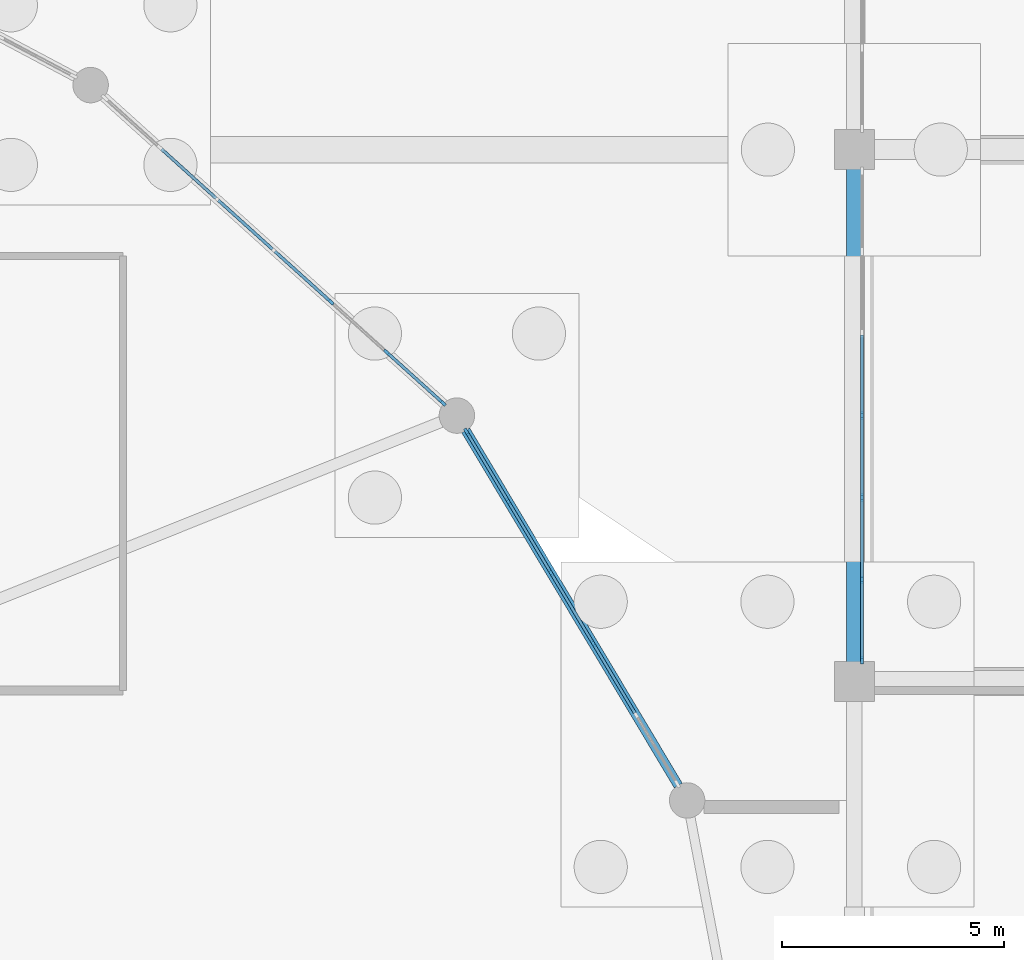
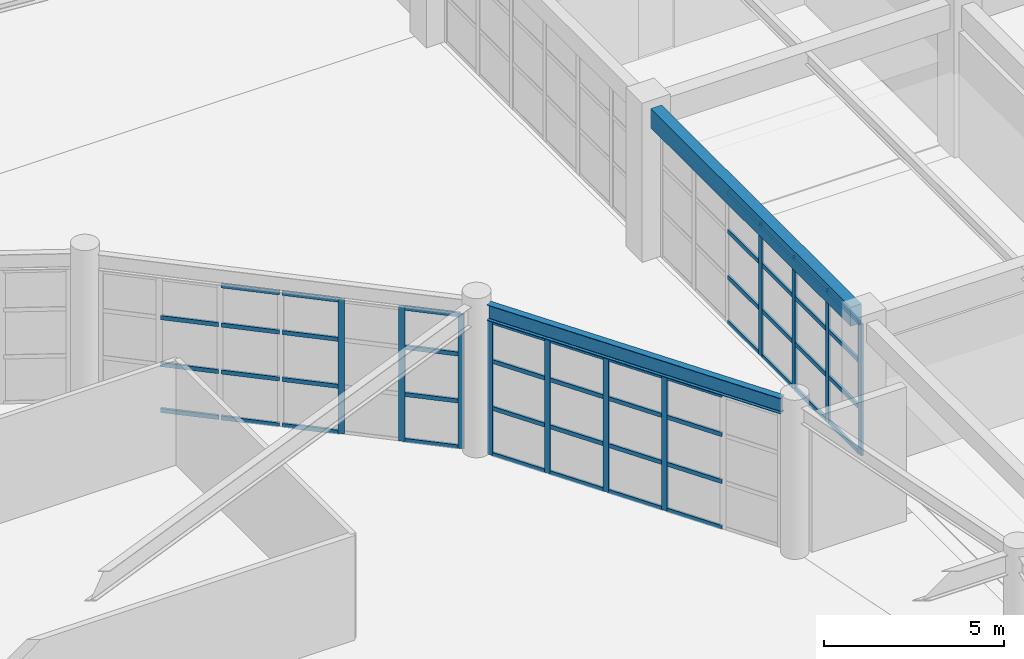
# One storey, part 49 of 99: 58 members, 2 beams, 3 elements without a shape of their own.
"""IFC4 building model written with IfcOpenShell, lengths in metres."""

from ifc_helpers import new_model, si_unit, direction, frame, origin, origin_2d, place, context, subcontext, project, spatial, rectangle, i_section, extrude, material, layer, layer_set, material_profile, profile_set, type_object, element, aggregate, save


model = new_model("IFC4")

# Units and contexts
model_context = context("Model", 3, precision=1e-05, world=origin(), true_north=direction((0.0, 1.0)))
body_context = subcontext(model_context, "Body", "Model", "MODEL_VIEW")
ifc_project = project(units=[si_unit("LENGTHUNIT", "METRE"), si_unit("AREAUNIT", "SQUARE_METRE"), si_unit("VOLUMEUNIT", "CUBIC_METRE"), si_unit("PLANEANGLEUNIT", "RADIAN"), si_unit("MASSUNIT", "GRAM", prefix="KILO")], contexts=[model_context])

# Site, building, storey
site_placement = place(None, origin())
site = spatial("IfcSite", under=ifc_project, at=site_placement, CompositionType="ELEMENT")
building_placement = place(site_placement, origin())
building = spatial("IfcBuilding", under=site, at=building_placement, Name="Kivolera Central Railway Station", CompositionType="ELEMENT")
storey_placement = place(building_placement, origin())
storey = spatial("IfcBuildingStorey", under=building, at=storey_placement, Name="L00", CompositionType="ELEMENT", Elevation=0.0)

# Beams
ifc_material_1 = material(Name="Steel S355", Category="steel")
ifc_material_profile_1 = material_profile(ifc_material_1, i_section(OverallWidth=0.209228515625, OverallDepth=0.533203125, WebThickness=0.010009765625, FlangeThickness=0.015625, FilletRadius=0.0126953125, at=origin_2d()), Name="UB 533x210x92")
ifc_profile_set_1 = profile_set([ifc_material_profile_1], Name="Steel S355")
beam_type_1 = type_object("IfcBeamType", Name="BM-SHD-UB533", PredefinedType="BEAM", material=ifc_profile_set_1)
beam_1_placement = place(storey_placement, frame((114.028076171875, 99.652099609375, 4.841064453125), z_axis=(-0.513503459376, 0.858087523047, 0.0), x_axis=(-0.858087523047, -0.513503459376, 0.0)))
element("IfcBeam", 1, at=beam_1_placement, inside=storey, type_object=beam_type_1, Name="L00 Oval Perimeter Ring Beam 02", PredefinedType="BEAM", context=body_context, shape_type="SweptSolid", body=[
    extrude(i_section(OverallWidth=0.209228515625, OverallDepth=0.533203125, WebThickness=0.010009765625, FlangeThickness=0.015625, FilletRadius=0.0126953125, at=origin_2d()), origin(), (0.0, 0.0, 1.0), 9.338134765625),
])
ifc_material_2 = material(Name="Concrete C40/50", Category="concrete")
ifc_material_profile_2 = material_profile(ifc_material_2, rectangle(XDim=0.35009765625, YDim=0.64990234375, at=origin_2d()), Name="RC 350x650")
ifc_profile_set_2 = profile_set([ifc_material_profile_2], Name="Concrete C40/50")
beam_type_2 = type_object("IfcBeamType", Name="BM-SPN-RC650", PredefinedType="SPANDREL", material=ifc_profile_set_2)
beam_2_placement = place(storey_placement, frame((118.0, 102.44189453125, 4.794921875), z_axis=(0.0, 1.0, 0.0), x_axis=(-1.0, 0.0, 0.0)))
element("IfcBeam", 2, at=beam_2_placement, inside=storey, type_object=beam_type_2, Name="L00 Wing Y-Beam 12:J-K", PredefinedType="SPANDREL", context=body_context, shape_type="SweptSolid", body=[
    extrude(rectangle(XDim=0.35009765625, YDim=0.64990234375, at=origin_2d()), origin(), (0.0, 0.0, 1.0), 11.1162109375),
])

# Curtain wall, members
ifc_material_3 = material(Name="Anodised aluminium", Category="aluminium")
ifc_layer_1 = layer(ifc_material_3, 0.179931640625, Name="Anodised aluminium")
ifc_layer_set_1 = layer_set([ifc_layer_1], Name="Anodised aluminium")
curtain_wall_type_1 = type_object("IfcCurtainWallType", Name="CW-SYS-01", PredefinedType="NOTDEFINED", material=ifc_layer_set_1)
curtain_wall_1_placement = place(storey_placement, origin())
curtain_wall_1 = element("IfcCurtainWall", 3, at=curtain_wall_1_placement, inside=storey, type_object=curtain_wall_type_1, Name="L00 Curtain Wall CW-L00-OVL-01", PredefinedType="NOTDEFINED")
ifc_material_profile_3 = material_profile(ifc_material_3, rectangle(XDim=0.070068359375, YDim=0.179931640625, at=origin_2d()), Name="ALU MULL 70x180")
ifc_profile_set_3 = profile_set([ifc_material_profile_3], Name="Anodised aluminium")
member_type_1 = type_object("IfcMemberType", Name="CWM-MUL-1", PredefinedType="MULLION", material=ifc_profile_set_3)
member_1_placement = place(storey_placement, frame((109.255859375, 107.626953125, -0.0048828125), z_axis=(0.0, 0.0, 1.0), x_axis=(0.858117186396, 0.513453887327, 0.0)))
member_1 = element("IfcMember", 4, at=member_1_placement, type_object=member_type_1, Name="CW-01 mullion 1", PredefinedType="MULLION", context=body_context, shape_type="SweptSolid", body=[
    extrude(rectangle(XDim=0.070068359375, YDim=0.179931640625, at=origin_2d()), origin(), (0.0, 0.0, 1.0), 4.554931640625),
])
member_2_placement = place(storey_placement, frame((110.195068359375, 106.0576171875, -0.0048828125), z_axis=(0.0, 0.0, 1.0), x_axis=(0.858117186396, 0.513453887327, 0.0)))
member_2 = element("IfcMember", 5, at=member_2_placement, type_object=member_type_1, Name="CW-01 mullion 2", PredefinedType="MULLION", context=body_context, shape_type="SweptSolid", body=[
    extrude(rectangle(XDim=0.070068359375, YDim=0.179931640625, at=origin_2d()), origin(), (0.0, 0.0, 1.0), 4.554931640625),
])
member_3_placement = place(storey_placement, frame((111.152099609375, 104.458251953125, -0.0048828125), z_axis=(0.0, 0.0, 1.0), x_axis=(0.858117186396, 0.513453887327, 0.0)))
member_3 = element("IfcMember", 6, at=member_3_placement, type_object=member_type_1, Name="CW-01 mullion 3", PredefinedType="MULLION", context=body_context, shape_type="SweptSolid", body=[
    extrude(rectangle(XDim=0.070068359375, YDim=0.179931640625, at=origin_2d()), origin(), (0.0, 0.0, 1.0), 4.554931640625),
])
member_4_placement = place(storey_placement, frame((112.10888671875, 102.85888671875, -0.0048828125), z_axis=(0.0, 0.0, 1.0), x_axis=(0.858117186396, 0.513453887327, 0.0)))
member_4 = element("IfcMember", 7, at=member_4_placement, type_object=member_type_1, Name="CW-01 mullion 4", PredefinedType="MULLION", context=body_context, shape_type="SweptSolid", body=[
    extrude(rectangle(XDim=0.070068359375, YDim=0.179931640625, at=origin_2d()), origin(), (0.0, 0.0, 1.0), 4.554931640625),
])

ifc_layer_2 = layer(ifc_material_3, 0.179931640625, Name="Anodised aluminium")
ifc_layer_set_2 = layer_set([ifc_layer_2], Name="Anodised aluminium")
curtain_wall_type_2 = type_object("IfcCurtainWallType", Name="CW-SYS-04", PredefinedType="NOTDEFINED", material=ifc_layer_set_2)
curtain_wall_2_placement = place(storey_placement, origin())
curtain_wall_2 = element("IfcCurtainWall", 8, at=curtain_wall_2_placement, inside=storey, type_object=curtain_wall_type_2, Name="L00 Curtain Wall CW-L00-OVL-02", PredefinedType="NOTDEFINED")
member_5_placement = place(storey_placement, frame((106.1796875, 110.57470703125, -0.0048828125), z_axis=(0.0, 0.0, 1.0), x_axis=(0.66992157428, 0.742431871833, 0.0)))
member_5 = element("IfcMember", 9, at=member_5_placement, type_object=member_type_1, Name="CW-04 mullion 5", PredefinedType="MULLION", context=body_context, shape_type="SweptSolid", body=[
    extrude(rectangle(XDim=0.070068359375, YDim=0.179931640625, at=origin_2d()), origin(), (0.0, 0.0, 1.0), 4.554931640625),
])
member_6_placement = place(storey_placement, frame((107.457763671875, 109.42138671875, -0.0048828125), z_axis=(0.0, 0.0, 1.0), x_axis=(0.66992157428, 0.742431871833, 0.0)))
member_6 = element("IfcMember", 10, at=member_6_placement, type_object=member_type_1, Name="CW-04 mullion 6", PredefinedType="MULLION", context=body_context, shape_type="SweptSolid", body=[
    extrude(rectangle(XDim=0.070068359375, YDim=0.179931640625, at=origin_2d()), origin(), (0.0, 0.0, 1.0), 4.554931640625),
])
member_7_placement = place(storey_placement, frame((108.7099609375, 108.29150390625, -0.0048828125), z_axis=(0.0, 0.0, 1.0), x_axis=(0.66992157428, 0.742431871833, 0.0)))
member_7 = element("IfcMember", 11, at=member_7_placement, type_object=member_type_1, Name="CW-04 mullion 7", PredefinedType="MULLION", context=body_context, shape_type="SweptSolid", body=[
    extrude(rectangle(XDim=0.070068359375, YDim=0.179931640625, at=origin_2d()), origin(), (0.0, 0.0, 1.0), 4.554931640625),
])

ifc_layer_3 = layer(ifc_material_3, 0.179931640625, Name="Anodised aluminium")
ifc_layer_set_3 = layer_set([ifc_layer_3], Name="Anodised aluminium")
curtain_wall_type_3 = type_object("IfcCurtainWallType", Name="CW-SYS-23", PredefinedType="NOTDEFINED", material=ifc_layer_set_3)
curtain_wall_3_placement = place(storey_placement, origin())
curtain_wall_3 = element("IfcCurtainWall", 12, at=curtain_wall_3_placement, inside=storey, type_object=curtain_wall_type_3, Name="L00 Curtain Wall CW-L00-WEST-J", PredefinedType="NOTDEFINED")
member_8_placement = place(storey_placement, frame((118.169921875, 102.47998046875, -0.0048828125), z_axis=(0.0, 0.0, 1.0), x_axis=(-1.0, 0.0, 0.0)))
member_8 = element("IfcMember", 13, at=member_8_placement, type_object=member_type_1, Name="CW-23 mullion 1", PredefinedType="MULLION", context=body_context, shape_type="SweptSolid", body=[
    extrude(rectangle(XDim=0.070068359375, YDim=0.179931640625, at=origin_2d()), origin(), (0.0, 0.0, 1.0), 4.462890625),
])
member_9_placement = place(storey_placement, frame((118.169921875, 104.296630859375, -0.0048828125), z_axis=(0.0, 0.0, 1.0), x_axis=(-1.0, 0.0, 0.0)))
member_9 = element("IfcMember", 14, at=member_9_placement, type_object=member_type_1, Name="CW-23 mullion 2", PredefinedType="MULLION", context=body_context, shape_type="SweptSolid", body=[
    extrude(rectangle(XDim=0.070068359375, YDim=0.179931640625, at=origin_2d()), origin(), (0.0, 0.0, 1.0), 4.462890625),
])
member_10_placement = place(storey_placement, frame((118.169921875, 106.1484375, -0.0048828125), z_axis=(0.0, 0.0, 1.0), x_axis=(-1.0, 0.0, 0.0)))
member_10 = element("IfcMember", 15, at=member_10_placement, type_object=member_type_1, Name="CW-23 mullion 3", PredefinedType="MULLION", context=body_context, shape_type="SweptSolid", body=[
    extrude(rectangle(XDim=0.070068359375, YDim=0.179931640625, at=origin_2d()), origin(), (0.0, 0.0, 1.0), 4.462890625),
])
member_11_placement = place(storey_placement, frame((118.169921875, 108.0, -0.0048828125), z_axis=(0.0, 0.0, 1.0), x_axis=(-1.0, 0.0, 0.0)))
member_11 = element("IfcMember", 16, at=member_11_placement, type_object=member_type_1, Name="CW-23 mullion 4", PredefinedType="MULLION", context=body_context, shape_type="SweptSolid", body=[
    extrude(rectangle(XDim=0.070068359375, YDim=0.179931640625, at=origin_2d()), origin(), (0.0, 0.0, 1.0), 4.462890625),
])

# Member
ifc_material_profile_4 = material_profile(ifc_material_3, rectangle(XDim=0.070068359375, YDim=0.139892578125, at=origin_2d()), Name="ALU TRAN 70x140")
ifc_profile_set_4 = profile_set([ifc_material_profile_4], Name="Anodised aluminium")
member_type_2 = type_object("IfcMemberType", Name="CWM-TRN-1", PredefinedType="USERDEFINED", material=ifc_profile_set_4)
member_12_placement = place(storey_placement, frame((109.27392578125, 107.596923828125, 0.034912109375), z_axis=(0.513454309114, -0.85811693402, 0.0), x_axis=(0.85811693402, 0.513454309114, 0.0)))
member_12 = element("IfcMember", 17, at=member_12_placement, type_object=member_type_2, Name="CW-01 transom 1.1", ObjectType="TRANSOM", PredefinedType="USERDEFINED", context=body_context, shape_type="SweptSolid", body=[
    extrude(rectangle(XDim=0.070068359375, YDim=0.139892578125, at=origin_2d()), origin(), (0.0, 0.0, 1.0), 1.7587890625),
])

member_13_placement = place(storey_placement, frame((109.27392578125, 107.596923828125, 1.592529296875), z_axis=(0.513454309114, -0.85811693402, 0.0), x_axis=(0.85811693402, 0.513454309114, 0.0)))
member_13 = element("IfcMember", 18, at=member_13_placement, type_object=member_type_2, Name="CW-01 transom 1.2", ObjectType="TRANSOM", PredefinedType="USERDEFINED", context=body_context, shape_type="SweptSolid", body=[
    extrude(rectangle(XDim=0.070068359375, YDim=0.139892578125, at=origin_2d()), origin(), (0.0, 0.0, 1.0), 1.7587890625),
])

member_14_placement = place(storey_placement, frame((109.27392578125, 107.596923828125, 3.18505859375), z_axis=(0.513454309114, -0.85811693402, 0.0), x_axis=(0.85811693402, 0.513454309114, 0.0)))
member_14 = element("IfcMember", 19, at=member_14_placement, type_object=member_type_2, Name="CW-01 transom 1.3", ObjectType="TRANSOM", PredefinedType="USERDEFINED", context=body_context, shape_type="SweptSolid", body=[
    extrude(rectangle(XDim=0.070068359375, YDim=0.139892578125, at=origin_2d()), origin(), (0.0, 0.0, 1.0), 1.7587890625),
])

member_15_placement = place(storey_placement, frame((109.27392578125, 107.596923828125, 4.514892578125), z_axis=(0.513454309114, -0.85811693402, 0.0), x_axis=(0.85811693402, 0.513454309114, 0.0)))
member_15 = element("IfcMember", 20, at=member_15_placement, type_object=member_type_2, Name="CW-01 transom 1.4", ObjectType="TRANSOM", PredefinedType="USERDEFINED", context=body_context, shape_type="SweptSolid", body=[
    extrude(rectangle(XDim=0.070068359375, YDim=0.139892578125, at=origin_2d()), origin(), (0.0, 0.0, 1.0), 1.7587890625),
])

member_16_placement = place(storey_placement, frame((110.212890625, 106.027587890625, 0.034912109375), z_axis=(0.513494690452, -0.858092770554, 0.0), x_axis=(0.858092770554, 0.513494690452, 0.0)))
member_16 = element("IfcMember", 21, at=member_16_placement, type_object=member_type_2, Name="CW-01 transom 2.1", ObjectType="TRANSOM", PredefinedType="USERDEFINED", context=body_context, shape_type="SweptSolid", body=[
    extrude(rectangle(XDim=0.070068359375, YDim=0.139892578125, at=origin_2d()), origin(), (0.0, 0.0, 1.0), 1.7939453125),
])

member_17_placement = place(storey_placement, frame((110.212890625, 106.027587890625, 1.592529296875), z_axis=(0.513494690452, -0.858092770554, 0.0), x_axis=(0.858092770554, 0.513494690452, 0.0)))
member_17 = element("IfcMember", 22, at=member_17_placement, type_object=member_type_2, Name="CW-01 transom 2.2", ObjectType="TRANSOM", PredefinedType="USERDEFINED", context=body_context, shape_type="SweptSolid", body=[
    extrude(rectangle(XDim=0.070068359375, YDim=0.139892578125, at=origin_2d()), origin(), (0.0, 0.0, 1.0), 1.7939453125),
])

member_18_placement = place(storey_placement, frame((110.212890625, 106.027587890625, 3.18505859375), z_axis=(0.513494690452, -0.858092770554, 0.0), x_axis=(0.858092770554, 0.513494690452, 0.0)))
member_18 = element("IfcMember", 23, at=member_18_placement, type_object=member_type_2, Name="CW-01 transom 2.3", ObjectType="TRANSOM", PredefinedType="USERDEFINED", context=body_context, shape_type="SweptSolid", body=[
    extrude(rectangle(XDim=0.070068359375, YDim=0.139892578125, at=origin_2d()), origin(), (0.0, 0.0, 1.0), 1.7939453125),
])

member_19_placement = place(storey_placement, frame((110.212890625, 106.027587890625, 4.514892578125), z_axis=(0.513494690452, -0.858092770554, 0.0), x_axis=(0.858092770554, 0.513494690452, 0.0)))
member_19 = element("IfcMember", 24, at=member_19_placement, type_object=member_type_2, Name="CW-01 transom 2.4", ObjectType="TRANSOM", PredefinedType="USERDEFINED", context=body_context, shape_type="SweptSolid", body=[
    extrude(rectangle(XDim=0.070068359375, YDim=0.139892578125, at=origin_2d()), origin(), (0.0, 0.0, 1.0), 1.7939453125),
])

member_20_placement = place(storey_placement, frame((111.169921875, 104.42822265625, 0.034912109375), z_axis=(0.513494690452, -0.858092770554, 0.0), x_axis=(0.858092770554, 0.513494690452, 0.0)))
member_20 = element("IfcMember", 25, at=member_20_placement, type_object=member_type_2, Name="CW-01 transom 3.1", ObjectType="TRANSOM", PredefinedType="USERDEFINED", context=body_context, shape_type="SweptSolid", body=[
    extrude(rectangle(XDim=0.070068359375, YDim=0.139892578125, at=origin_2d()), origin(), (0.0, 0.0, 1.0), 1.7939453125),
])

member_21_placement = place(storey_placement, frame((111.169921875, 104.42822265625, 1.592529296875), z_axis=(0.513494690452, -0.858092770554, 0.0), x_axis=(0.858092770554, 0.513494690452, 0.0)))
member_21 = element("IfcMember", 26, at=member_21_placement, type_object=member_type_2, Name="CW-01 transom 3.2", ObjectType="TRANSOM", PredefinedType="USERDEFINED", context=body_context, shape_type="SweptSolid", body=[
    extrude(rectangle(XDim=0.070068359375, YDim=0.139892578125, at=origin_2d()), origin(), (0.0, 0.0, 1.0), 1.7939453125),
])

member_22_placement = place(storey_placement, frame((111.169921875, 104.42822265625, 3.18505859375), z_axis=(0.513494690452, -0.858092770554, 0.0), x_axis=(0.858092770554, 0.513494690452, 0.0)))
member_22 = element("IfcMember", 27, at=member_22_placement, type_object=member_type_2, Name="CW-01 transom 3.3", ObjectType="TRANSOM", PredefinedType="USERDEFINED", context=body_context, shape_type="SweptSolid", body=[
    extrude(rectangle(XDim=0.070068359375, YDim=0.139892578125, at=origin_2d()), origin(), (0.0, 0.0, 1.0), 1.7939453125),
])

member_23_placement = place(storey_placement, frame((111.169921875, 104.42822265625, 4.514892578125), z_axis=(0.513494690452, -0.858092770554, 0.0), x_axis=(0.858092770554, 0.513494690452, 0.0)))
member_23 = element("IfcMember", 28, at=member_23_placement, type_object=member_type_2, Name="CW-01 transom 3.4", ObjectType="TRANSOM", PredefinedType="USERDEFINED", context=body_context, shape_type="SweptSolid", body=[
    extrude(rectangle(XDim=0.070068359375, YDim=0.139892578125, at=origin_2d()), origin(), (0.0, 0.0, 1.0), 1.7939453125),
])

member_24_placement = place(storey_placement, frame((112.126953125, 102.828857421875, 0.034912109375), z_axis=(0.513494690452, -0.858092770554, 0.0), x_axis=(0.858092770554, 0.513494690452, 0.0)))
member_24 = element("IfcMember", 29, at=member_24_placement, type_object=member_type_2, Name="CW-01 transom 4.1", ObjectType="TRANSOM", PredefinedType="USERDEFINED", context=body_context, shape_type="SweptSolid", body=[
    extrude(rectangle(XDim=0.070068359375, YDim=0.139892578125, at=origin_2d()), origin(), (0.0, 0.0, 1.0), 1.7939453125),
])

member_25_placement = place(storey_placement, frame((112.126953125, 102.828857421875, 1.592529296875), z_axis=(0.513494690452, -0.858092770554, 0.0), x_axis=(0.858092770554, 0.513494690452, 0.0)))
member_25 = element("IfcMember", 30, at=member_25_placement, type_object=member_type_2, Name="CW-01 transom 4.2", ObjectType="TRANSOM", PredefinedType="USERDEFINED", context=body_context, shape_type="SweptSolid", body=[
    extrude(rectangle(XDim=0.070068359375, YDim=0.139892578125, at=origin_2d()), origin(), (0.0, 0.0, 1.0), 1.7939453125),
])

member_26_placement = place(storey_placement, frame((112.126953125, 102.828857421875, 3.18505859375), z_axis=(0.513494690452, -0.858092770554, 0.0), x_axis=(0.858092770554, 0.513494690452, 0.0)))
member_26 = element("IfcMember", 31, at=member_26_placement, type_object=member_type_2, Name="CW-01 transom 4.3", ObjectType="TRANSOM", PredefinedType="USERDEFINED", context=body_context, shape_type="SweptSolid", body=[
    extrude(rectangle(XDim=0.070068359375, YDim=0.139892578125, at=origin_2d()), origin(), (0.0, 0.0, 1.0), 1.7939453125),
])

member_27_placement = place(storey_placement, frame((112.126953125, 102.828857421875, 4.514892578125), z_axis=(0.513494690452, -0.858092770554, 0.0), x_axis=(0.858092770554, 0.513494690452, 0.0)))
member_27 = element("IfcMember", 32, at=member_27_placement, type_object=member_type_2, Name="CW-01 transom 4.4", ObjectType="TRANSOM", PredefinedType="USERDEFINED", context=body_context, shape_type="SweptSolid", body=[
    extrude(rectangle(XDim=0.070068359375, YDim=0.139892578125, at=origin_2d()), origin(), (0.0, 0.0, 1.0), 1.7939453125),
])

aggregate(curtain_wall_1, [member_1, member_2, member_3, member_4, member_12, member_13, member_14, member_15, member_16, member_17, member_18, member_19, member_20, member_21, member_22, member_23, member_24, member_25, member_26, member_27])

member_28_placement = place(storey_placement, frame((102.37109375, 114.01123046875, 0.034912109375), z_axis=(0.74246304586, -0.669887024455, 0.0), x_axis=(0.669887024455, 0.74246304586, 0.0)))
member_28 = element("IfcMember", 33, at=member_28_placement, type_object=member_type_2, Name="CW-04 transom 2.1", ObjectType="TRANSOM", PredefinedType="USERDEFINED", context=body_context, shape_type="SweptSolid", body=[
    extrude(rectangle(XDim=0.070068359375, YDim=0.139892578125, at=origin_2d()), origin(), (0.0, 0.0, 1.0), 1.651611328125),
])

member_29_placement = place(storey_placement, frame((102.37109375, 114.01123046875, 1.592529296875), z_axis=(0.74246304586, -0.669887024455, 0.0), x_axis=(0.669887024455, 0.74246304586, 0.0)))
member_29 = element("IfcMember", 34, at=member_29_placement, type_object=member_type_2, Name="CW-04 transom 2.2", ObjectType="TRANSOM", PredefinedType="USERDEFINED", context=body_context, shape_type="SweptSolid", body=[
    extrude(rectangle(XDim=0.070068359375, YDim=0.139892578125, at=origin_2d()), origin(), (0.0, 0.0, 1.0), 1.651611328125),
])

member_30_placement = place(storey_placement, frame((102.37109375, 114.01123046875, 3.18505859375), z_axis=(0.74246304586, -0.669887024455, 0.0), x_axis=(0.669887024455, 0.74246304586, 0.0)))
member_30 = element("IfcMember", 35, at=member_30_placement, type_object=member_type_2, Name="CW-04 transom 2.3", ObjectType="TRANSOM", PredefinedType="USERDEFINED", context=body_context, shape_type="SweptSolid", body=[
    extrude(rectangle(XDim=0.070068359375, YDim=0.139892578125, at=origin_2d()), origin(), (0.0, 0.0, 1.0), 1.651611328125),
])

member_31_placement = place(storey_placement, frame((103.6494140625, 112.85791015625, 0.034912109375), z_axis=(0.742396704206, -0.669960546289, 0.0), x_axis=(0.669960546289, 0.742396704206, 0.0)))
member_31 = element("IfcMember", 36, at=member_31_placement, type_object=member_type_2, Name="CW-04 transom 3.1", ObjectType="TRANSOM", PredefinedType="USERDEFINED", context=body_context, shape_type="SweptSolid", body=[
    extrude(rectangle(XDim=0.070068359375, YDim=0.139892578125, at=origin_2d()), origin(), (0.0, 0.0, 1.0), 1.651611328125),
])

member_32_placement = place(storey_placement, frame((103.6494140625, 112.85791015625, 1.592529296875), z_axis=(0.742396704206, -0.669960546289, 0.0), x_axis=(0.669960546289, 0.742396704206, 0.0)))
member_32 = element("IfcMember", 37, at=member_32_placement, type_object=member_type_2, Name="CW-04 transom 3.2", ObjectType="TRANSOM", PredefinedType="USERDEFINED", context=body_context, shape_type="SweptSolid", body=[
    extrude(rectangle(XDim=0.070068359375, YDim=0.139892578125, at=origin_2d()), origin(), (0.0, 0.0, 1.0), 1.651611328125),
])

member_33_placement = place(storey_placement, frame((103.6494140625, 112.85791015625, 3.18505859375), z_axis=(0.742396704206, -0.669960546289, 0.0), x_axis=(0.669960546289, 0.742396704206, 0.0)))
member_33 = element("IfcMember", 38, at=member_33_placement, type_object=member_type_2, Name="CW-04 transom 3.3", ObjectType="TRANSOM", PredefinedType="USERDEFINED", context=body_context, shape_type="SweptSolid", body=[
    extrude(rectangle(XDim=0.070068359375, YDim=0.139892578125, at=origin_2d()), origin(), (0.0, 0.0, 1.0), 1.651611328125),
])

member_34_placement = place(storey_placement, frame((103.6494140625, 112.85791015625, 4.514892578125), z_axis=(0.742396704206, -0.669960546289, 0.0), x_axis=(0.669960546289, 0.742396704206, 0.0)))
member_34 = element("IfcMember", 39, at=member_34_placement, type_object=member_type_2, Name="CW-04 transom 3.4", ObjectType="TRANSOM", PredefinedType="USERDEFINED", context=body_context, shape_type="SweptSolid", body=[
    extrude(rectangle(XDim=0.070068359375, YDim=0.139892578125, at=origin_2d()), origin(), (0.0, 0.0, 1.0), 1.651611328125),
])

member_35_placement = place(storey_placement, frame((104.927490234375, 111.70458984375, 0.034912109375), z_axis=(0.742396704206, -0.669960546289, 0.0), x_axis=(0.669960546289, 0.742396704206, 0.0)))
member_35 = element("IfcMember", 40, at=member_35_placement, type_object=member_type_2, Name="CW-04 transom 4.1", ObjectType="TRANSOM", PredefinedType="USERDEFINED", context=body_context, shape_type="SweptSolid", body=[
    extrude(rectangle(XDim=0.070068359375, YDim=0.139892578125, at=origin_2d()), origin(), (0.0, 0.0, 1.0), 1.651611328125),
])

member_36_placement = place(storey_placement, frame((104.927490234375, 111.70458984375, 1.592529296875), z_axis=(0.742396704206, -0.669960546289, 0.0), x_axis=(0.669960546289, 0.742396704206, 0.0)))
member_36 = element("IfcMember", 41, at=member_36_placement, type_object=member_type_2, Name="CW-04 transom 4.2", ObjectType="TRANSOM", PredefinedType="USERDEFINED", context=body_context, shape_type="SweptSolid", body=[
    extrude(rectangle(XDim=0.070068359375, YDim=0.139892578125, at=origin_2d()), origin(), (0.0, 0.0, 1.0), 1.651611328125),
])

member_37_placement = place(storey_placement, frame((104.927490234375, 111.70458984375, 3.18505859375), z_axis=(0.742396704206, -0.669960546289, 0.0), x_axis=(0.669960546289, 0.742396704206, 0.0)))
member_37 = element("IfcMember", 42, at=member_37_placement, type_object=member_type_2, Name="CW-04 transom 4.3", ObjectType="TRANSOM", PredefinedType="USERDEFINED", context=body_context, shape_type="SweptSolid", body=[
    extrude(rectangle(XDim=0.070068359375, YDim=0.139892578125, at=origin_2d()), origin(), (0.0, 0.0, 1.0), 1.651611328125),
])

member_38_placement = place(storey_placement, frame((104.927490234375, 111.70458984375, 4.514892578125), z_axis=(0.742396704206, -0.669960546289, 0.0), x_axis=(0.669960546289, 0.742396704206, 0.0)))
member_38 = element("IfcMember", 43, at=member_38_placement, type_object=member_type_2, Name="CW-04 transom 4.4", ObjectType="TRANSOM", PredefinedType="USERDEFINED", context=body_context, shape_type="SweptSolid", body=[
    extrude(rectangle(XDim=0.070068359375, YDim=0.139892578125, at=origin_2d()), origin(), (0.0, 0.0, 1.0), 1.651611328125),
])

member_39_placement = place(storey_placement, frame((107.48388671875, 109.39794921875, 0.034912109375), z_axis=(0.742422429893, -0.66993203804, 0.0), x_axis=(0.66993203804, 0.742422429893, 0.0)))
member_39 = element("IfcMember", 44, at=member_39_placement, type_object=member_type_2, Name="CW-04 transom 6.1", ObjectType="TRANSOM", PredefinedType="USERDEFINED", context=body_context, shape_type="SweptSolid", body=[
    extrude(rectangle(XDim=0.070068359375, YDim=0.139892578125, at=origin_2d()), origin(), (0.0, 0.0, 1.0), 1.61669921875),
])

member_40_placement = place(storey_placement, frame((107.48388671875, 109.39794921875, 1.592529296875), z_axis=(0.742422429893, -0.66993203804, 0.0), x_axis=(0.66993203804, 0.742422429893, 0.0)))
member_40 = element("IfcMember", 45, at=member_40_placement, type_object=member_type_2, Name="CW-04 transom 6.2", ObjectType="TRANSOM", PredefinedType="USERDEFINED", context=body_context, shape_type="SweptSolid", body=[
    extrude(rectangle(XDim=0.070068359375, YDim=0.139892578125, at=origin_2d()), origin(), (0.0, 0.0, 1.0), 1.61669921875),
])

member_41_placement = place(storey_placement, frame((107.48388671875, 109.39794921875, 3.18505859375), z_axis=(0.742422429893, -0.66993203804, 0.0), x_axis=(0.66993203804, 0.742422429893, 0.0)))
member_41 = element("IfcMember", 46, at=member_41_placement, type_object=member_type_2, Name="CW-04 transom 6.3", ObjectType="TRANSOM", PredefinedType="USERDEFINED", context=body_context, shape_type="SweptSolid", body=[
    extrude(rectangle(XDim=0.070068359375, YDim=0.139892578125, at=origin_2d()), origin(), (0.0, 0.0, 1.0), 1.61669921875),
])

member_42_placement = place(storey_placement, frame((107.48388671875, 109.39794921875, 4.514892578125), z_axis=(0.742422429893, -0.66993203804, 0.0), x_axis=(0.66993203804, 0.742422429893, 0.0)))
member_42 = element("IfcMember", 47, at=member_42_placement, type_object=member_type_2, Name="CW-04 transom 6.4", ObjectType="TRANSOM", PredefinedType="USERDEFINED", context=body_context, shape_type="SweptSolid", body=[
    extrude(rectangle(XDim=0.070068359375, YDim=0.139892578125, at=origin_2d()), origin(), (0.0, 0.0, 1.0), 1.61669921875),
])

aggregate(curtain_wall_2, [member_5, member_6, member_7, member_28, member_29, member_30, member_31, member_32, member_33, member_34, member_35, member_36, member_37, member_38, member_39, member_40, member_41, member_42])

member_43_placement = place(storey_placement, frame((118.169921875, 102.514892578125, 0.034912109375), z_axis=(0.0, 1.0, 0.0), x_axis=(-1.0, 0.0, 0.0)))
member_43 = element("IfcMember", 48, at=member_43_placement, type_object=member_type_2, Name="CW-23 transom 1.1", ObjectType="TRANSOM", PredefinedType="USERDEFINED", context=body_context, shape_type="SweptSolid", body=[
    extrude(rectangle(XDim=0.070068359375, YDim=0.139892578125, at=origin_2d()), origin(), (0.0, 0.0, 1.0), 1.746826171875),
])

member_44_placement = place(storey_placement, frame((118.169921875, 102.514892578125, 1.560302734375), z_axis=(0.0, 1.0, 0.0), x_axis=(-1.0, 0.0, 0.0)))
member_44 = element("IfcMember", 49, at=member_44_placement, type_object=member_type_2, Name="CW-23 transom 1.2", ObjectType="TRANSOM", PredefinedType="USERDEFINED", context=body_context, shape_type="SweptSolid", body=[
    extrude(rectangle(XDim=0.070068359375, YDim=0.139892578125, at=origin_2d()), origin(), (0.0, 0.0, 1.0), 1.746826171875),
])

member_45_placement = place(storey_placement, frame((118.169921875, 102.514892578125, 3.12060546875), z_axis=(0.0, 1.0, 0.0), x_axis=(-1.0, 0.0, 0.0)))
member_45 = element("IfcMember", 50, at=member_45_placement, type_object=member_type_2, Name="CW-23 transom 1.3", ObjectType="TRANSOM", PredefinedType="USERDEFINED", context=body_context, shape_type="SweptSolid", body=[
    extrude(rectangle(XDim=0.070068359375, YDim=0.139892578125, at=origin_2d()), origin(), (0.0, 0.0, 1.0), 1.746826171875),
])

member_46_placement = place(storey_placement, frame((118.169921875, 102.514892578125, 4.423095703125), z_axis=(0.0, 1.0, 0.0), x_axis=(-1.0, 0.0, 0.0)))
member_46 = element("IfcMember", 51, at=member_46_placement, type_object=member_type_2, Name="CW-23 transom 1.4", ObjectType="TRANSOM", PredefinedType="USERDEFINED", context=body_context, shape_type="SweptSolid", body=[
    extrude(rectangle(XDim=0.070068359375, YDim=0.139892578125, at=origin_2d()), origin(), (0.0, 0.0, 1.0), 1.746826171875),
])

member_47_placement = place(storey_placement, frame((118.169921875, 104.331787109375, 0.034912109375), z_axis=(0.0, 1.0, 0.0), x_axis=(-1.0, 0.0, 0.0)))
member_47 = element("IfcMember", 52, at=member_47_placement, type_object=member_type_2, Name="CW-23 transom 2.1", ObjectType="TRANSOM", PredefinedType="USERDEFINED", context=body_context, shape_type="SweptSolid", body=[
    extrude(rectangle(XDim=0.070068359375, YDim=0.139892578125, at=origin_2d()), origin(), (0.0, 0.0, 1.0), 1.781494140625),
])

member_48_placement = place(storey_placement, frame((118.169921875, 104.331787109375, 1.560302734375), z_axis=(0.0, 1.0, 0.0), x_axis=(-1.0, 0.0, 0.0)))
member_48 = element("IfcMember", 53, at=member_48_placement, type_object=member_type_2, Name="CW-23 transom 2.2", ObjectType="TRANSOM", PredefinedType="USERDEFINED", context=body_context, shape_type="SweptSolid", body=[
    extrude(rectangle(XDim=0.070068359375, YDim=0.139892578125, at=origin_2d()), origin(), (0.0, 0.0, 1.0), 1.781494140625),
])

member_49_placement = place(storey_placement, frame((118.169921875, 104.331787109375, 3.12060546875), z_axis=(0.0, 1.0, 0.0), x_axis=(-1.0, 0.0, 0.0)))
member_49 = element("IfcMember", 54, at=member_49_placement, type_object=member_type_2, Name="CW-23 transom 2.3", ObjectType="TRANSOM", PredefinedType="USERDEFINED", context=body_context, shape_type="SweptSolid", body=[
    extrude(rectangle(XDim=0.070068359375, YDim=0.139892578125, at=origin_2d()), origin(), (0.0, 0.0, 1.0), 1.781494140625),
])

member_50_placement = place(storey_placement, frame((118.169921875, 104.331787109375, 4.423095703125), z_axis=(0.0, 1.0, 0.0), x_axis=(-1.0, 0.0, 0.0)))
member_50 = element("IfcMember", 55, at=member_50_placement, type_object=member_type_2, Name="CW-23 transom 2.4", ObjectType="TRANSOM", PredefinedType="USERDEFINED", context=body_context, shape_type="SweptSolid", body=[
    extrude(rectangle(XDim=0.070068359375, YDim=0.139892578125, at=origin_2d()), origin(), (0.0, 0.0, 1.0), 1.781494140625),
])

member_51_placement = place(storey_placement, frame((118.169921875, 106.183349609375, 0.034912109375), z_axis=(0.0, 1.0, 0.0), x_axis=(-1.0, 0.0, 0.0)))
member_51 = element("IfcMember", 56, at=member_51_placement, type_object=member_type_2, Name="CW-23 transom 3.1", ObjectType="TRANSOM", PredefinedType="USERDEFINED", context=body_context, shape_type="SweptSolid", body=[
    extrude(rectangle(XDim=0.070068359375, YDim=0.139892578125, at=origin_2d()), origin(), (0.0, 0.0, 1.0), 1.78173828125),
])

member_52_placement = place(storey_placement, frame((118.169921875, 106.183349609375, 1.560302734375), z_axis=(0.0, 1.0, 0.0), x_axis=(-1.0, 0.0, 0.0)))
member_52 = element("IfcMember", 57, at=member_52_placement, type_object=member_type_2, Name="CW-23 transom 3.2", ObjectType="TRANSOM", PredefinedType="USERDEFINED", context=body_context, shape_type="SweptSolid", body=[
    extrude(rectangle(XDim=0.070068359375, YDim=0.139892578125, at=origin_2d()), origin(), (0.0, 0.0, 1.0), 1.78173828125),
])

member_53_placement = place(storey_placement, frame((118.169921875, 106.183349609375, 3.12060546875), z_axis=(0.0, 1.0, 0.0), x_axis=(-1.0, 0.0, 0.0)))
member_53 = element("IfcMember", 58, at=member_53_placement, type_object=member_type_2, Name="CW-23 transom 3.3", ObjectType="TRANSOM", PredefinedType="USERDEFINED", context=body_context, shape_type="SweptSolid", body=[
    extrude(rectangle(XDim=0.070068359375, YDim=0.139892578125, at=origin_2d()), origin(), (0.0, 0.0, 1.0), 1.78173828125),
])

member_54_placement = place(storey_placement, frame((118.169921875, 106.183349609375, 4.423095703125), z_axis=(0.0, 1.0, 0.0), x_axis=(-1.0, 0.0, 0.0)))
member_54 = element("IfcMember", 59, at=member_54_placement, type_object=member_type_2, Name="CW-23 transom 3.4", ObjectType="TRANSOM", PredefinedType="USERDEFINED", context=body_context, shape_type="SweptSolid", body=[
    extrude(rectangle(XDim=0.070068359375, YDim=0.139892578125, at=origin_2d()), origin(), (0.0, 0.0, 1.0), 1.78173828125),
])

member_55_placement = place(storey_placement, frame((118.169921875, 108.034912109375, 0.034912109375), z_axis=(0.0, 1.0, 0.0), x_axis=(-1.0, 0.0, 0.0)))
member_55 = element("IfcMember", 60, at=member_55_placement, type_object=member_type_2, Name="CW-23 transom 4.1", ObjectType="TRANSOM", PredefinedType="USERDEFINED", context=body_context, shape_type="SweptSolid", body=[
    extrude(rectangle(XDim=0.070068359375, YDim=0.139892578125, at=origin_2d()), origin(), (0.0, 0.0, 1.0), 1.78173828125),
])

member_56_placement = place(storey_placement, frame((118.169921875, 108.034912109375, 1.560302734375), z_axis=(0.0, 1.0, 0.0), x_axis=(-1.0, 0.0, 0.0)))
member_56 = element("IfcMember", 61, at=member_56_placement, type_object=member_type_2, Name="CW-23 transom 4.2", ObjectType="TRANSOM", PredefinedType="USERDEFINED", context=body_context, shape_type="SweptSolid", body=[
    extrude(rectangle(XDim=0.070068359375, YDim=0.139892578125, at=origin_2d()), origin(), (0.0, 0.0, 1.0), 1.78173828125),
])

member_57_placement = place(storey_placement, frame((118.169921875, 108.034912109375, 3.12060546875), z_axis=(0.0, 1.0, 0.0), x_axis=(-1.0, 0.0, 0.0)))
member_57 = element("IfcMember", 62, at=member_57_placement, type_object=member_type_2, Name="CW-23 transom 4.3", ObjectType="TRANSOM", PredefinedType="USERDEFINED", context=body_context, shape_type="SweptSolid", body=[
    extrude(rectangle(XDim=0.070068359375, YDim=0.139892578125, at=origin_2d()), origin(), (0.0, 0.0, 1.0), 1.78173828125),
])

member_58_placement = place(storey_placement, frame((118.169921875, 108.034912109375, 4.423095703125), z_axis=(0.0, 1.0, 0.0), x_axis=(-1.0, 0.0, 0.0)))
member_58 = element("IfcMember", 63, at=member_58_placement, type_object=member_type_2, Name="CW-23 transom 4.4", ObjectType="TRANSOM", PredefinedType="USERDEFINED", context=body_context, shape_type="SweptSolid", body=[
    extrude(rectangle(XDim=0.070068359375, YDim=0.139892578125, at=origin_2d()), origin(), (0.0, 0.0, 1.0), 1.78173828125),
])

aggregate(curtain_wall_3, [member_8, member_9, member_10, member_11, member_43, member_44, member_45, member_46, member_47, member_48, member_49, member_50, member_51, member_52, member_53, member_54, member_55, member_56, member_57, member_58])

save(model, "model.ifc")
